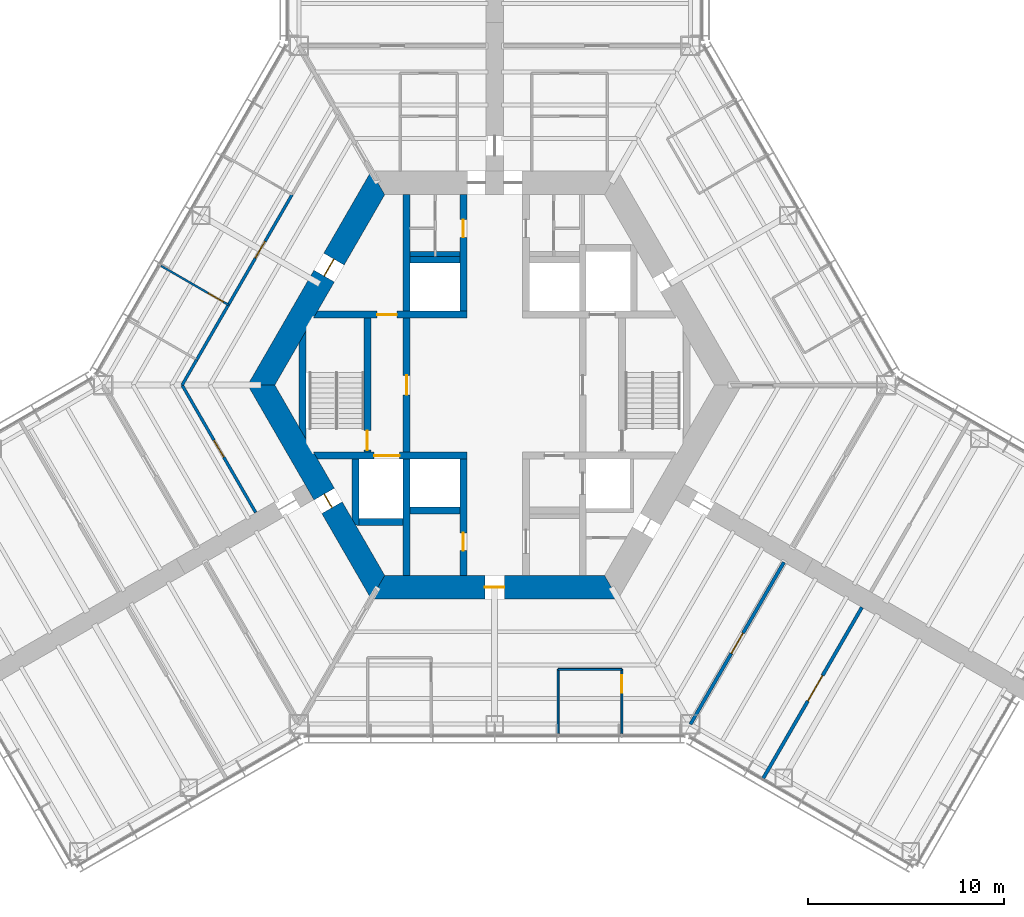
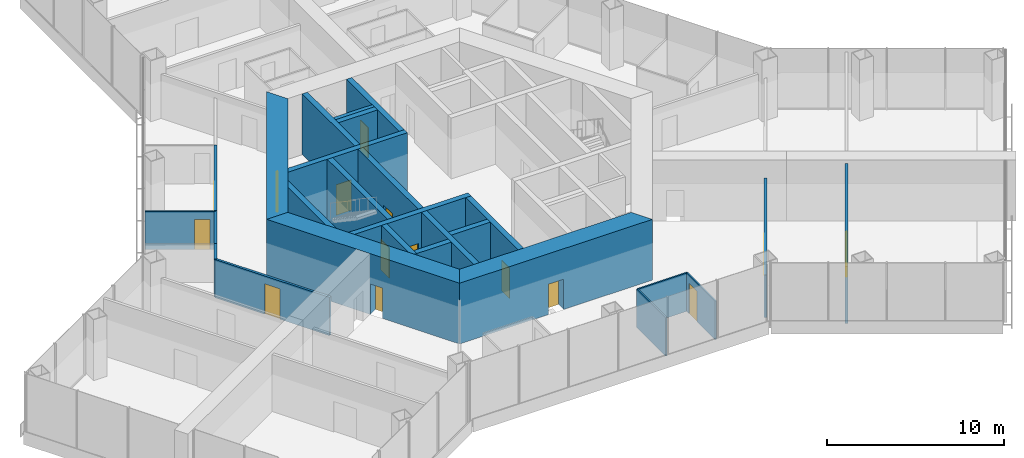
# One storey, part 11 of 17: 27 walls, 15 doors, 15 openings.
"""IFC4 building model written with IfcOpenShell, lengths in metres."""

from ifc_helpers import new_model, si_unit, direction, frame, frame_2d, origin, place, context, subcontext, project, spatial, polyline, rectangle, outline, extrude, material, layer, layer_set, type_object, element, fill, save


model = new_model("IFC4")

# Units and contexts
model_context = context("Model", 3, precision=1e-05, world=origin(), true_north=direction((0.0, 1.0)))
body_context = subcontext(model_context, "Body", "Model", "MODEL_VIEW")
ifc_project = project(units=[si_unit("LENGTHUNIT", "METRE"), si_unit("AREAUNIT", "SQUARE_METRE"), si_unit("VOLUMEUNIT", "CUBIC_METRE"), si_unit("PLANEANGLEUNIT", "RADIAN"), si_unit("MASSUNIT", "GRAM", prefix="KILO")], contexts=[model_context])

# Site, building, storey
site_placement = place(None, origin())
site = spatial("IfcSite", under=ifc_project, at=site_placement, CompositionType="ELEMENT")
building_placement = place(site_placement, origin())
building = spatial("IfcBuilding", under=site, at=building_placement, Name="Kasaneha Research Tower", CompositionType="ELEMENT")
storey_placement = place(building_placement, frame((0.0, 0.0, 47.800048828125)))
storey = spatial("IfcBuildingStorey", under=building, at=storey_placement, Name="L12", CompositionType="ELEMENT", Elevation=47.800048828125)

# Wall, opening, door
ifc_material_1 = material(Name="Concrete Fc100", Category="concrete")
ifc_layer_1 = layer(ifc_material_1, 0.35009765625)
ifc_layer_set_1 = layer_set([ifc_layer_1], Name="Core internal wall 350 Fc100")
wall_type_1 = type_object("IfcWallType", Name="Core internal wall 350 Fc100", PredefinedType="SHEAR", material=ifc_layer_set_1)
wall_1_placement = place(storey_placement, frame((-9.151123046875, 3.60009765625, 0.0), z_axis=(0.0, 0.0, 1.0), x_axis=(1.0, 0.0, 0.0)))
wall_1 = element("IfcWall", 1, at=wall_1_placement, inside=storey, type_object=wall_type_1, Name="Core wall W1W L12", PredefinedType="SHEAR", context=body_context, shape_type="SweptSolid", body=[
    extrude(outline(polyline([(-0.10107421875, -0.175048828125), (3.151123046875, -0.175048828125), (4.151123046875, -0.175048828125), (7.72607421875, -0.175048828125), (7.72607421875, 0.175048828125), (4.151123046875, 0.175048828125), (3.151123046875, 0.175048828125), (0.10107421875, 0.175048828125), (-0.10107421875, -0.175048828125)])), origin(), (0.0, 0.0, 1.0), 4.199951171875),
])
opening_1_placement = place(wall_1_placement, frame((3.151123046875, 0.0, 0.0)))
opening_1 = element("IfcOpeningElement", 2, at=opening_1_placement, cuts=wall_1, Name="Opening L12-D12", PredefinedType="OPENING", context=body_context, shape_type="SweptSolid", body=[
    extrude(rectangle(XDim=1.0, YDim=2.10009765625, at=frame_2d((0.5, 1.050048828125))), frame((0.0, 0.18505859375, 0.0), z_axis=(0.0, -1.0, 0.0), x_axis=(1.0, 0.0, 0.0)), (0.0, 0.0, 1.0), 0.3701171875),
])
ifc_material_2 = material(Name="Steel", Category="steel")
door_type_1 = type_object("IfcDoorType", Name="Specified fire door FD60 1000x2100", OperationType="NOTDEFINED", PredefinedType="DOOR", material=ifc_material_2)
door_1_placement = place(opening_1_placement, origin())
door_1 = element("IfcDoor", 3, at=door_1_placement, inside=storey, type_object=door_type_1, Name="Vestibule to lobby door L12-D12", OperationType="SINGLE_SWING_LEFT", OverallHeight=2.10009765625, OverallWidth=1.0, PredefinedType="DOOR", context=body_context, shape_type="SweptSolid", body=[
    extrude(rectangle(XDim=1.0, YDim=2.10009765625, at=frame_2d((0.5, 1.050048828125))), frame((0.0, 0.02490234375, 0.0), z_axis=(0.0, -1.0, 0.0), x_axis=(1.0, 0.0, 0.0)), (0.0, 0.0, 1.0), 0.050048828125),
])
fill(opening_1, door_1)

wall_2_placement = place(storey_placement, frame((-9.151123046875, -3.60009765625, 0.0), z_axis=(0.0, 0.0, 1.0), x_axis=(1.0, 0.0, 0.0)))
wall_2 = element("IfcWall", 4, at=wall_2_placement, inside=storey, type_object=wall_type_1, Name="Core wall W2W L12", PredefinedType="SHEAR", context=body_context, shape_type="SweptSolid", body=[
    extrude(outline(polyline([(0.10107421875, -0.175048828125), (3.0009765625, -0.175048828125), (4.301025390625, -0.175048828125), (7.72607421875, -0.175048828125), (7.72607421875, 0.175048828125), (4.301025390625, 0.175048828125), (3.0009765625, 0.175048828125), (-0.10107421875, 0.175048828125), (0.10107421875, -0.175048828125)])), origin(), (0.0, 0.0, 1.0), 4.199951171875),
])
opening_2_placement = place(wall_2_placement, frame((3.0009765625, 0.0, 0.0)))
opening_2 = element("IfcOpeningElement", 5, at=opening_2_placement, cuts=wall_2, Name="Opening LD-FL2-L12", PredefinedType="OPENING", context=body_context, shape_type="SweptSolid", body=[
    extrude(rectangle(XDim=1.300048828125, YDim=2.10009765625, at=frame_2d((0.64990234375, 1.050048828125))), frame((0.0, 0.18505859375, 0.0), z_axis=(0.0, -1.0, 0.0), x_axis=(1.0, 0.0, 0.0)), (0.0, 0.0, 1.0), 0.3701171875),
])
ifc_material_3 = material(Name="Steel", Category="steel")
door_type_2 = type_object("IfcDoorType", Name="Lift landing door 1300x2100", OperationType="DOUBLE_DOOR_SLIDING", PredefinedType="DOOR", material=ifc_material_3)
door_2_placement = place(opening_2_placement, origin())
door_2 = element("IfcDoor", 6, at=door_2_placement, inside=storey, type_object=door_type_2, Name="Landing door FL2 LD-FL2-L12", OperationType="DOUBLE_DOOR_SLIDING", OverallHeight=2.10009765625, OverallWidth=1.300048828125, PredefinedType="DOOR", context=body_context, shape_type="SweptSolid", body=[
    extrude(rectangle(XDim=1.300048828125, YDim=2.10009765625, at=frame_2d((0.64990234375, 1.050048828125))), frame((0.0, 0.02490234375, 0.0), z_axis=(0.0, -1.0, 0.0), x_axis=(1.0, 0.0, 0.0)), (0.0, 0.0, 1.0), 0.050048828125),
])
fill(opening_2, door_2)

wall_3_placement = place(storey_placement, frame((-1.60009765625, 3.77490234375, 0.0), z_axis=(0.0, 0.0, 1.0), x_axis=(0.0, 1.0, 0.0)))
wall_3 = element("IfcWall", 7, at=wall_3_placement, inside=storey, type_object=wall_type_1, Name="Core wall CNW L12", PredefinedType="SHEAR", context=body_context, shape_type="SweptSolid", body=[
    extrude(rectangle(XDim=5.9501953125, YDim=0.35009765625, at=frame_2d((2.97509765625, 0.0))), origin(), (0.0, 0.0, 1.0), 4.199951171875),
])
opening_3_placement = place(wall_3_placement, frame((3.77490234375, 0.0, 0.0)))
opening_3 = element("IfcOpeningElement", 8, at=opening_3_placement, cuts=wall_3, Name="Opening L12-D13", PredefinedType="OPENING", context=body_context, shape_type="SweptSolid", body=[
    extrude(rectangle(XDim=0.89990234375, YDim=2.10009765625, at=frame_2d((0.449951171875, 1.050048828125))), frame((0.0, 0.18505859375, 0.0), z_axis=(0.0, -1.0, 0.0), x_axis=(1.0, 0.0, 0.0)), (0.0, 0.0, 1.0), 0.3701171875),
])
ifc_material_4 = material(Name="Steel", Category="steel")
door_type_3 = type_object("IfcDoorType", Name="Toilet door FD20 900x2100", OperationType="NOTDEFINED", PredefinedType="DOOR", material=ifc_material_4)
door_3_placement = place(opening_3_placement, origin())
door_3 = element("IfcDoor", 9, at=door_3_placement, inside=storey, type_object=door_type_3, Name="Men's WC door L12-D13", OperationType="SINGLE_SWING_LEFT", OverallHeight=2.10009765625, OverallWidth=0.89990234375, PredefinedType="DOOR", context=body_context, shape_type="SweptSolid", body=[
    extrude(rectangle(XDim=0.89990234375, YDim=2.10009765625, at=frame_2d((0.449951171875, 1.050048828125))), frame((0.0, 0.02490234375, 0.0), z_axis=(0.0, -1.0, 0.0), x_axis=(1.0, 0.0, 0.0)), (0.0, 0.0, 1.0), 0.050048828125),
])
fill(opening_3, door_3)

wall_4_placement = place(storey_placement, frame((-1.60009765625, -3.77490234375, 0.0), z_axis=(0.0, 0.0, 1.0), x_axis=(0.0, -1.0, 0.0)))
wall_4 = element("IfcWall", 10, at=wall_4_placement, inside=storey, type_object=wall_type_1, Name="Core wall CSW L12", PredefinedType="SHEAR", context=body_context, shape_type="SweptSolid", body=[
    extrude(rectangle(XDim=5.9501953125, YDim=0.35009765625, at=frame_2d((2.97509765625, 0.0))), origin(), (0.0, 0.0, 1.0), 4.199951171875),
])
opening_4_placement = place(wall_4_placement, frame((3.77490234375, 0.0, 0.0)))
opening_4 = element("IfcOpeningElement", 11, at=opening_4_placement, cuts=wall_4, Name="Opening L12-D16", PredefinedType="OPENING", context=body_context, shape_type="SweptSolid", body=[
    extrude(rectangle(XDim=0.89990234375, YDim=2.10009765625, at=frame_2d((0.449951171875, 1.050048828125))), frame((0.0, 0.18505859375, 0.0), z_axis=(0.0, -1.0, 0.0), x_axis=(1.0, 0.0, 0.0)), (0.0, 0.0, 1.0), 0.3701171875),
])
ifc_material_5 = material(Name="Steel", Category="steel")
door_type_4 = type_object("IfcDoorType", Name="Riser access door FD60 900x2100", OperationType="NOTDEFINED", PredefinedType="DOOR", material=ifc_material_5)
door_4_placement = place(opening_4_placement, origin())
door_4 = element("IfcDoor", 12, at=door_4_placement, inside=storey, type_object=door_type_4, Name="Electrical riser door L12-D16", OperationType="SINGLE_SWING_LEFT", OverallHeight=2.10009765625, OverallWidth=0.89990234375, PredefinedType="DOOR", context=body_context, shape_type="SweptSolid", body=[
    extrude(rectangle(XDim=0.89990234375, YDim=2.10009765625, at=frame_2d((0.449951171875, 1.050048828125))), frame((0.0, 0.02490234375, 0.0), z_axis=(0.0, -1.0, 0.0), x_axis=(1.0, 0.0, 0.0)), (0.0, 0.0, 1.0), 0.050048828125),
])
fill(opening_4, door_4)

wall_5_placement = place(storey_placement, frame((-4.5, -3.425048828125, 0.0), z_axis=(0.0, 0.0, 1.0), x_axis=(0.0, 1.0, 0.0)))
wall_5 = element("IfcWall", 13, at=wall_5_placement, inside=storey, type_object=wall_type_1, Name="Core wall LBW L12", PredefinedType="SHEAR", context=body_context, shape_type="SweptSolid", body=[
    extrude(rectangle(XDim=6.85009765625, YDim=0.35009765625, at=frame_2d((3.425048828125, 0.0))), origin(), (0.0, 0.0, 1.0), 4.199951171875),
])
opening_5_placement = place(wall_5_placement, frame((2.925048828125, 0.0, 0.0)))
opening_5 = element("IfcOpeningElement", 14, at=opening_5_placement, cuts=wall_5, Name="Opening L12-D09", PredefinedType="OPENING", context=body_context, shape_type="SweptSolid", body=[
    extrude(rectangle(XDim=1.0, YDim=2.10009765625, at=frame_2d((0.5, 1.050048828125))), frame((0.0, 0.18505859375, 0.0), z_axis=(0.0, -1.0, 0.0), x_axis=(1.0, 0.0, 0.0)), (0.0, 0.0, 1.0), 0.3701171875),
])
door_5_placement = place(opening_5_placement, origin())
door_5 = element("IfcDoor", 15, at=door_5_placement, inside=storey, type_object=door_type_1, Name="Lift lobby door west L12-D09", OperationType="SINGLE_SWING_LEFT", OverallHeight=2.10009765625, OverallWidth=1.0, PredefinedType="DOOR", context=body_context, shape_type="SweptSolid", body=[
    extrude(rectangle(XDim=1.0, YDim=2.10009765625, at=frame_2d((0.5, 1.050048828125))), frame((0.0, 0.02490234375, 0.0), z_axis=(0.0, -1.0, 0.0), x_axis=(1.0, 0.0, 0.0)), (0.0, 0.0, 1.0), 0.050048828125),
])
fill(opening_5, door_5)

wall_6_placement = place(storey_placement, frame((-6.5, -3.425048828125, 0.0), z_axis=(0.0, 0.0, 1.0), x_axis=(0.0, 1.0, 0.0)))
wall_6 = element("IfcWall", 16, at=wall_6_placement, inside=storey, type_object=wall_type_1, Name="Core wall ANW L12", PredefinedType="SHEAR", context=body_context, shape_type="SweptSolid", body=[
    extrude(rectangle(XDim=6.85009765625, YDim=0.35009765625, at=frame_2d((3.425048828125, 0.0))), origin(), (0.0, 0.0, 1.0), 4.199951171875),
])
opening_6_placement = place(wall_6_placement, frame((0.10009765625, 0.0, 0.0)))
opening_6 = element("IfcOpeningElement", 17, at=opening_6_placement, cuts=wall_6, Name="Opening L12-D11", PredefinedType="OPENING", context=body_context, shape_type="SweptSolid", body=[
    extrude(rectangle(XDim=1.0, YDim=2.10009765625, at=frame_2d((0.5, 1.050048828125))), frame((0.0, 0.18505859375, 0.0), z_axis=(0.0, -1.0, 0.0), x_axis=(1.0, 0.0, 0.0)), (0.0, 0.0, 1.0), 0.3701171875),
])
door_6_placement = place(opening_6_placement, origin())
door_6 = element("IfcDoor", 18, at=door_6_placement, inside=storey, type_object=door_type_1, Name="Stair 2 door L12-D11", OperationType="SINGLE_SWING_LEFT", OverallHeight=2.10009765625, OverallWidth=1.0, PredefinedType="DOOR", context=body_context, shape_type="SweptSolid", body=[
    extrude(rectangle(XDim=1.0, YDim=2.10009765625, at=frame_2d((0.5, 1.050048828125))), frame((0.0, 0.02490234375, 0.0), z_axis=(0.0, -1.0, 0.0), x_axis=(1.0, 0.0, 0.0)), (0.0, 0.0, 1.0), 0.050048828125),
])
fill(opening_6, door_6)

# Walls
for number, where, z_axis, x_axis, name in (
    (19, (-4.5, 3.77490234375, 0.0), (0.0, 0.0, 1.0), (0.0, 1.0, 0.0), "Core wall VNW L12"),
    (20, (-4.5, -3.77490234375, 0.0), (0.0, 0.0, 1.0), (0.0, -1.0, 0.0), "Core wall SSW L12"),
):
    element("IfcWall", number, at=place(storey_placement, frame(where, z_axis=z_axis, x_axis=x_axis)), inside=storey, type_object=wall_type_1, Name=name, PredefinedType="SHEAR", context=body_context, shape_type="SweptSolid", body=[
        extrude(rectangle(XDim=5.9501953125, YDim=0.35009765625, at=frame_2d((2.97509765625, 0.0))), origin(), (0.0, 0.0, 1.0), 4.199951171875),
    ])
for number, where, z_axis, x_axis, name in (
    (21, (-4.324951171875, 6.39990234375, 0.0), (0.0, 0.0, 1.0), (1.0, 0.0, 0.0), "Core wall N1N L12"),
    (22, (-4.324951171875, -6.39990234375, 0.0), (0.0, 0.0, 1.0), (1.0, 0.0, 0.0), "Core wall S1S L12"),
):
    element("IfcWall", number, at=place(storey_placement, frame(where, z_axis=z_axis, x_axis=x_axis)), inside=storey, type_object=wall_type_1, Name=name, PredefinedType="SHEAR", context=body_context, shape_type="SweptSolid", body=[
        extrude(rectangle(XDim=2.550048828125, YDim=0.35009765625, at=frame_2d((1.27490234375, 0.0))), origin(), (0.0, 0.0, 1.0), 4.199951171875),
    ])
wall_7_placement = place(storey_placement, frame((-6.925048828125, -7.0, 0.0), z_axis=(0.0, 0.0, 1.0), x_axis=(1.0, 0.0, 0.0)))
element("IfcWall", 23, at=wall_7_placement, inside=storey, type_object=wall_type_1, Name="Core wall F2S L12", PredefinedType="SHEAR", context=body_context, shape_type="SweptSolid", body=[
    extrude(rectangle(XDim=2.25, YDim=0.35009765625, at=frame_2d((1.125, 0.0))), origin(), (0.0, 0.0, 1.0), 4.199951171875),
])
wall_8_placement = place(storey_placement, frame((-7.10009765625, -3.77490234375, 0.0), z_axis=(0.0, 0.0, 1.0), x_axis=(0.0, -1.0, 0.0)))
element("IfcWall", 24, at=wall_8_placement, inside=storey, type_object=wall_type_1, Name="Core wall F2W L12", PredefinedType="SHEAR", context=body_context, shape_type="SweptSolid", body=[
    extrude(outline(polyline([(0.0, -0.175048828125), (3.07421875, -0.175048828125), (3.37744140625, 0.0), (3.39990234375, 0.175048828125), (0.0, 0.175048828125), (0.0, -0.175048828125)])), origin(), (0.0, 0.0, 1.0), 4.199951171875),
])
wall_9_placement = place(storey_placement, frame((-9.807861328125, -2.462158203125, 0.0), z_axis=(0.0, 0.0, 1.0), x_axis=(0.0, 1.0, 0.0)))
element("IfcWall", 25, at=wall_9_placement, inside=storey, type_object=wall_type_1, Name="Core wall STW L12", PredefinedType="SHEAR", context=body_context, shape_type="SweptSolid", body=[
    extrude(outline(polyline([(-0.30322265625, -0.175048828125), (5.2275390625, -0.175048828125), (4.62109375, 0.175048828125), (0.30322265625, 0.175048828125), (-0.30322265625, -0.175048828125)])), origin(), (0.0, 0.0, 1.0), 4.199951171875),
])

# Wall, opening, door
ifc_material_6 = material(Name="Concrete Fc100", Category="concrete")
ifc_layer_2 = layer(ifc_material_6, 1.199951171875)
ifc_layer_set_2 = layer_set([ifc_layer_2], Name="Core wall 1200 Fc100")
wall_type_2 = type_object("IfcWallType", Name="Core wall 1200 Fc100", PredefinedType="SHEAR", material=ifc_layer_set_2)
wall_10_placement = place(storey_placement, frame((-5.961181640625, 10.324951171875, 0.0), z_axis=(0.0, 0.0, 1.0), x_axis=(-0.500004296715, -0.866022923061, 0.0)))
wall_10 = element("IfcWall", 26, at=wall_10_placement, inside=storey, type_object=wall_type_2, Name="Core wall 150 L12", PredefinedType="SHEAR", context=body_context, shape_type="SweptSolid", body=[
    extrude(outline(polyline([(-0.346435546875, -0.60009765625), (4.494140625, -0.60009765625), (5.494140625, -0.60009765625), (12.268798828125, -0.60009765625), (11.575927734375, 0.60009765625), (5.494140625, 0.60009765625), (4.494140625, 0.60009765625), (0.346435546875, 0.60009765625), (-0.346435546875, -0.60009765625)])), origin(), (0.0, 0.0, 1.0), 4.199951171875),
])
opening_7_placement = place(wall_10_placement, frame((4.494140625, 0.0, 0.0)))
opening_7 = element("IfcOpeningElement", 27, at=opening_7_placement, cuts=wall_10, Name="Opening L12-D07", PredefinedType="OPENING", context=body_context, shape_type="SweptSolid", body=[
    extrude(rectangle(XDim=1.0, YDim=2.10009765625, at=frame_2d((0.5, 1.050048828125))), frame((0.0, 0.60986328125, 0.0), z_axis=(0.0, -1.0, 0.0), x_axis=(1.0, 0.0, 0.0)), (0.0, 0.0, 1.0), 1.219970703125),
])
ifc_material_7 = material(Name="Steel", Category="steel")
door_type_5 = type_object("IfcDoorType", Name="Fire door FD20 1000x2100", OperationType="NOTDEFINED", PredefinedType="DOOR", material=ifc_material_7)
door_7_placement = place(opening_7_placement, origin())
door_7 = element("IfcDoor", 28, at=door_7_placement, inside=storey, type_object=door_type_5, Name="Vestibule door L12-D07", OperationType="SINGLE_SWING_LEFT", OverallHeight=2.10009765625, OverallWidth=1.0, PredefinedType="DOOR", context=body_context, shape_type="SweptSolid", body=[
    extrude(rectangle(XDim=1.0, YDim=2.10009765625, at=frame_2d((0.5, 1.050048828125))), frame((0.0, 0.02490234375, 0.0), z_axis=(0.0, -1.0, 0.0), x_axis=(1.0, 0.0, 0.0)), (0.0, 0.0, 1.0), 0.050048828125),
])
fill(opening_7, door_7)

wall_11_placement = place(storey_placement, frame((-11.92236328125, 0.0, 0.0), z_axis=(0.0, 0.0, 1.0), x_axis=(0.500004296715, -0.866022923061, 0.0)))
wall_11 = element("IfcWall", 29, at=wall_11_placement, inside=storey, type_object=wall_type_2, Name="Core wall 210 L12", PredefinedType="SHEAR", context=body_context, shape_type="SweptSolid", body=[
    extrude(outline(polyline([(-0.346435546875, -0.60009765625), (6.43115234375, -0.60009765625), (7.231201171875, -0.60009765625), (12.268798828125, -0.60009765625), (11.575927734375, 0.60009765625), (7.231201171875, 0.60009765625), (6.43115234375, 0.60009765625), (0.346435546875, 0.60009765625), (-0.346435546875, -0.60009765625)])), origin(), (0.0, 0.0, 1.0), 4.199951171875),
])
opening_8_placement = place(wall_11_placement, frame((6.43115234375, 0.0, 0.0)))
opening_8 = element("IfcOpeningElement", 30, at=opening_8_placement, cuts=wall_11, Name="Opening L12-D06", PredefinedType="OPENING", context=body_context, shape_type="SweptSolid", body=[
    extrude(rectangle(XDim=0.800048828125, YDim=2.10009765625, at=frame_2d((0.39990234375, 1.050048828125))), frame((0.0, 0.60986328125, 0.0), z_axis=(0.0, -1.0, 0.0), x_axis=(1.0, 0.0, 0.0)), (0.0, 0.0, 1.0), 1.219970703125),
])
ifc_material_8 = material(Name="Steel", Category="steel")
door_type_6 = type_object("IfcDoorType", Name="Riser access door FD60 800x2100", OperationType="NOTDEFINED", PredefinedType="DOOR", material=ifc_material_8)
door_8_placement = place(opening_8_placement, origin())
door_8 = element("IfcDoor", 31, at=door_8_placement, inside=storey, type_object=door_type_6, Name="Duct riser door L12-D06", OperationType="SINGLE_SWING_RIGHT", OverallHeight=2.10009765625, OverallWidth=0.800048828125, PredefinedType="DOOR", context=body_context, shape_type="SweptSolid", body=[
    extrude(rectangle(XDim=0.800048828125, YDim=2.10009765625, at=frame_2d((0.39990234375, 1.050048828125))), frame((0.0, 0.02490234375, 0.0), z_axis=(0.0, -1.0, 0.0), x_axis=(1.0, 0.0, 0.0)), (0.0, 0.0, 1.0), 0.050048828125),
])
fill(opening_8, door_8)

wall_12_placement = place(storey_placement, frame((-5.961181640625, -10.324951171875, 0.0), z_axis=(0.0, 0.0, 1.0), x_axis=(1.0, 0.0, 0.0)))
wall_12 = element("IfcWall", 32, at=wall_12_placement, inside=storey, type_object=wall_type_2, Name="Core wall 270 L12", PredefinedType="SHEAR", context=body_context, shape_type="SweptSolid", body=[
    extrude(outline(polyline([(-0.346435546875, -0.60009765625), (5.461181640625, -0.60009765625), (6.461181640625, -0.60009765625), (12.268798828125, -0.60009765625), (11.575927734375, 0.60009765625), (6.461181640625, 0.60009765625), (5.461181640625, 0.60009765625), (0.346435546875, 0.60009765625), (-0.346435546875, -0.60009765625)])), origin(), (0.0, 0.0, 1.0), 4.199951171875),
])
opening_9_placement = place(wall_12_placement, frame((5.461181640625, 0.0, 0.0)))
opening_9 = element("IfcOpeningElement", 33, at=opening_9_placement, cuts=wall_12, Name="Opening L12-D03", PredefinedType="OPENING", context=body_context, shape_type="SweptSolid", body=[
    extrude(rectangle(XDim=1.0, YDim=2.10009765625, at=frame_2d((0.5, 1.050048828125))), frame((0.0, 0.60986328125, 0.0), z_axis=(0.0, -1.0, 0.0), x_axis=(1.0, 0.0, 0.0)), (0.0, 0.0, 1.0), 1.219970703125),
])
door_9_placement = place(opening_9_placement, origin())
door_9 = element("IfcDoor", 34, at=door_9_placement, inside=storey, type_object=door_type_5, Name="Core door south L12-D03", OperationType="SINGLE_SWING_LEFT", OverallHeight=2.10009765625, OverallWidth=1.0, PredefinedType="DOOR", context=body_context, shape_type="SweptSolid", body=[
    extrude(rectangle(XDim=1.0, YDim=2.10009765625, at=frame_2d((0.5, 1.050048828125))), frame((0.0, 0.02490234375, 0.0), z_axis=(0.0, -1.0, 0.0), x_axis=(1.0, 0.0, 0.0)), (0.0, 0.0, 1.0), 0.050048828125),
])
fill(opening_9, door_9)

ifc_material_9 = material(Name="Gypsum board on steel studs, two layers each side", Category="steel")
ifc_layer_3 = layer(ifc_material_9, 0.175048828125)
ifc_layer_set_3 = layer_set([ifc_layer_3], Name="Laboratory fire partition 175")
wall_type_3 = type_object("IfcWallType", Name="Laboratory fire partition 175", PredefinedType="PARTITIONING", material=ifc_layer_set_3)
wall_13_placement = place(storey_placement, frame((14.77490234375, -9.050048828125, 0.0), z_axis=(0.0, 0.0, 1.0), x_axis=(-0.499993908199, -0.866028920859, 0.0)))
wall_13 = element("IfcWall", 35, at=wall_13_placement, inside=storey, type_object=wall_type_3, Name="Laboratory fire partition LABC-S L12", PredefinedType="PARTITIONING", context=body_context, shape_type="SweptSolid", body=[
    extrude(rectangle(XDim=9.5498046875, YDim=0.175048828125, at=frame_2d((4.77490234375, 0.0))), origin(), (0.0, 0.0, 1.0), 2.949951171875),
])
opening_10_placement = place(wall_13_placement, frame((4.175048828125, 0.0, 0.0)))
opening_10 = element("IfcOpeningElement", 36, at=opening_10_placement, cuts=wall_13, Name="Opening L12-D48", PredefinedType="OPENING", context=body_context, shape_type="SweptSolid", body=[
    extrude(rectangle(XDim=1.199951171875, YDim=2.10009765625, at=frame_2d((0.60009765625, 1.050048828125))), frame((0.0, 0.09765625, 0.0), z_axis=(0.0, -1.0, 0.0), x_axis=(1.0, 0.0, 0.0)), (0.0, 0.0, 1.0), 0.195068359375),
])
ifc_material_10 = material(Name="Steel", Category="steel")
door_type_7 = type_object("IfcDoorType", Name="Laboratory door FD60 1200x2100", OperationType="DOUBLE_DOOR_SINGLE_SWING", PredefinedType="DOOR", material=ifc_material_10)
door_10_placement = place(opening_10_placement, origin())
door_10 = element("IfcDoor", 37, at=door_10_placement, inside=storey, type_object=door_type_7, Name="Laboratory door L12-D48", OperationType="DOUBLE_DOOR_SINGLE_SWING", OverallHeight=2.10009765625, OverallWidth=1.199951171875, PredefinedType="DOOR", context=body_context, shape_type="SweptSolid", body=[
    extrude(rectangle(XDim=1.199951171875, YDim=2.10009765625, at=frame_2d((0.60009765625, 1.050048828125))), frame((0.0, 0.02490234375, 0.0), z_axis=(0.0, -1.0, 0.0), x_axis=(1.0, 0.0, 0.0)), (0.0, 0.0, 1.0), 0.050048828125),
])
fill(opening_10, door_10)

wall_14_placement = place(storey_placement, frame((18.7587890625, -11.349853515625, 0.0), z_axis=(0.0, 0.0, 1.0), x_axis=(-0.500005203629, -0.866022399447, 0.0)))
wall_14 = element("IfcWall", 38, at=wall_14_placement, inside=storey, type_object=wall_type_3, Name="Laboratory fire partition INSC-S L12", PredefinedType="PARTITIONING", context=body_context, shape_type="SweptSolid", body=[
    extrude(rectangle(XDim=10.14013671875, YDim=0.175048828125, at=frame_2d((5.070068359375, 0.0))), origin(), (0.0, 0.0, 1.0), 3.949951171875),
])
opening_11_placement = place(wall_14_placement, frame((4.02490234375, 0.0, 0.0)))
opening_11 = element("IfcOpeningElement", 39, at=opening_11_placement, cuts=wall_14, Name="Opening L12-D51", PredefinedType="OPENING", context=body_context, shape_type="SweptSolid", body=[
    extrude(rectangle(XDim=1.5, YDim=2.10009765625, at=frame_2d((0.75, 1.050048828125))), frame((0.0, 0.09765625, 0.0), z_axis=(0.0, -1.0, 0.0), x_axis=(1.0, 0.0, 0.0)), (0.0, 0.0, 1.0), 0.195068359375),
])
ifc_material_11 = material(Name="Steel", Category="steel")
door_type_8 = type_object("IfcDoorType", Name="Laboratory door FD60 1500x2100", OperationType="DOUBLE_DOOR_SINGLE_SWING", PredefinedType="DOOR", material=ifc_material_11)
door_11_placement = place(opening_11_placement, origin())
door_11 = element("IfcDoor", 40, at=door_11_placement, inside=storey, type_object=door_type_8, Name="Instrument room door L12-D51", OperationType="DOUBLE_DOOR_SINGLE_SWING", OverallHeight=2.10009765625, OverallWidth=1.5, PredefinedType="DOOR", context=body_context, shape_type="SweptSolid", body=[
    extrude(rectangle(XDim=1.5, YDim=2.10009765625, at=frame_2d((0.75, 1.050048828125))), frame((0.0, 0.02490234375, 0.0), z_axis=(0.0, -1.0, 0.0), x_axis=(1.0, 0.0, 0.0)), (0.0, 0.0, 1.0), 0.050048828125),
])
fill(opening_11, door_11)

ifc_material_12 = material(Name="Gypsum board on steel studs, one layer each side", Category="steel")
ifc_layer_4 = layer(ifc_material_12, 0.10009765625)
ifc_layer_set_4 = layer_set([ifc_layer_4], Name="Office partition 100")
wall_type_4 = type_object("IfcWallType", Name="Office partition 100", PredefinedType="PARTITIONING", material=ifc_layer_set_4)
wall_15_placement = place(storey_placement, frame((-17.038818359375, 6.0888671875, 0.0), z_axis=(0.0, 0.0, 1.0), x_axis=(0.865455715078, -0.500985434159, 0.0)))
wall_15 = element("IfcWall", 41, at=wall_15_placement, inside=storey, type_object=wall_type_4, Name="Office partition FBN08 L12", PredefinedType="PARTITIONING", context=body_context, shape_type="SweptSolid", body=[
    extrude(rectangle(XDim=3.9755859375, YDim=0.10009765625, at=frame_2d((1.98779296875, 0.0))), origin(), (0.0, 0.0, 1.0), 2.64990234375),
])
opening_12_placement = place(wall_15_placement, frame((2.775634765625, 0.0, 0.0)))
opening_12 = element("IfcOpeningElement", 42, at=opening_12_placement, cuts=wall_15, Name="Opening L12-D42", PredefinedType="OPENING", context=body_context, shape_type="SweptSolid", body=[
    extrude(rectangle(XDim=0.89990234375, YDim=2.10009765625, at=frame_2d((0.449951171875, 1.050048828125))), frame((0.0, 0.06005859375, 0.0), z_axis=(0.0, -1.0, 0.0), x_axis=(1.0, 0.0, 0.0)), (0.0, 0.0, 1.0), 0.1201171875),
])
ifc_material_13 = material(Name="Timber veneer", Category="wood")
door_type_9 = type_object("IfcDoorType", Name="Office door 900x2100", OperationType="SINGLE_SWING_LEFT", PredefinedType="DOOR", material=ifc_material_13)
door_12_placement = place(opening_12_placement, origin())
door_12 = element("IfcDoor", 43, at=door_12_placement, inside=storey, type_object=door_type_9, Name="Principal investigator office door L12-D42", OperationType="SINGLE_SWING_RIGHT", OverallHeight=2.10009765625, OverallWidth=0.89990234375, PredefinedType="DOOR", context=body_context, shape_type="SweptSolid", body=[
    extrude(rectangle(XDim=0.89990234375, YDim=2.10009765625, at=frame_2d((0.449951171875, 1.050048828125))), frame((0.0, 0.02490234375, 0.0), z_axis=(0.0, -1.0, 0.0), x_axis=(1.0, 0.0, 0.0)), (0.0, 0.0, 1.0), 0.050048828125),
])
fill(opening_12, door_12)

# Walls
wall_16_placement = place(storey_placement, frame((3.246337890625, -17.800537109375, 0.0), z_axis=(0.0, 0.0, 1.0), x_axis=(0.0, 1.0, 0.0)))
element("IfcWall", 44, at=wall_16_placement, inside=storey, type_object=wall_type_4, Name="Office partition FCS04 L12", PredefinedType="PARTITIONING", context=body_context, shape_type="SweptSolid", body=[
    extrude(rectangle(XDim=3.280029296875, YDim=0.10009765625, at=frame_2d((1.64013671875, 0.0))), origin(), (0.0, 0.0, 1.0), 2.64990234375),
])
wall_17_placement = place(storey_placement, frame((3.246337890625, -14.5205078125, 0.0), z_axis=(0.0, 0.0, 1.0), x_axis=(1.0, 0.0, 0.0)))
element("IfcWall", 45, at=wall_17_placement, inside=storey, type_object=wall_type_4, Name="Office partition FCS05 L12", PredefinedType="PARTITIONING", context=body_context, shape_type="SweptSolid", body=[
    extrude(rectangle(XDim=3.24658203125, YDim=0.10009765625, at=frame_2d((1.623291015625, 0.0))), origin(), (0.0, 0.0, 1.0), 2.64990234375),
])

# Wall, opening, door
wall_18_placement = place(storey_placement, frame((6.492919921875, -14.5205078125, 0.0), z_axis=(0.0, 0.0, 1.0), x_axis=(0.0, -1.0, 0.0)))
wall_18 = element("IfcWall", 46, at=wall_18_placement, inside=storey, type_object=wall_type_4, Name="Office partition FCS06 L12", PredefinedType="PARTITIONING", context=body_context, shape_type="SweptSolid", body=[
    extrude(rectangle(XDim=3.280029296875, YDim=0.10009765625, at=frame_2d((1.64013671875, 0.0))), origin(), (0.0, 0.0, 1.0), 2.64990234375),
])
opening_13_placement = place(wall_18_placement, frame((0.300048828125, 0.0, 0.0)))
opening_13 = element("IfcOpeningElement", 47, at=opening_13_placement, cuts=wall_18, Name="Opening L12-D50", PredefinedType="OPENING", context=body_context, shape_type="SweptSolid", body=[
    extrude(rectangle(XDim=0.89990234375, YDim=2.10009765625, at=frame_2d((0.449951171875, 1.050048828125))), frame((0.0, 0.06005859375, 0.0), z_axis=(0.0, -1.0, 0.0), x_axis=(1.0, 0.0, 0.0)), (0.0, 0.0, 1.0), 0.1201171875),
])
door_13_placement = place(opening_13_placement, origin())
door_13 = element("IfcDoor", 48, at=door_13_placement, inside=storey, type_object=door_type_9, Name="Principal investigator office door L12-D50", OperationType="SINGLE_SWING_LEFT", OverallHeight=2.10009765625, OverallWidth=0.89990234375, PredefinedType="DOOR", context=body_context, shape_type="SweptSolid", body=[
    extrude(rectangle(XDim=0.89990234375, YDim=2.10009765625, at=frame_2d((0.449951171875, 1.050048828125))), frame((0.0, 0.02490234375, 0.0), z_axis=(0.0, -1.0, 0.0), x_axis=(1.0, 0.0, 0.0)), (0.0, 0.0, 1.0), 0.050048828125),
])
fill(opening_13, door_13)

# Walls
ifc_material_14 = material(Name="Gypsum board on steel studs, two layers each side", Category="steel")
ifc_layer_5 = layer(ifc_material_14, 0.14990234375)
ifc_layer_set_5 = layer_set([ifc_layer_5], Name="Suite partition 150")
wall_type_5 = type_object("IfcWallType", Name="Suite partition 150", PredefinedType="PARTITIONING", material=ifc_layer_set_5)
wall_19_placement = place(storey_placement, frame((-15.2216796875, 1.28515625, 0.0), z_axis=(0.0, 0.0, 1.0), x_axis=(0.499969057507, 0.866043267704, 0.0)))
element("IfcWall", 49, at=wall_19_placement, inside=storey, type_object=wall_type_5, Name="Suite partition FBN02 L12", PredefinedType="PARTITIONING", context=body_context, shape_type="SweptSolid", body=[
    extrude(rectangle(XDim=3.256591796875, YDim=0.14990234375, at=frame_2d((1.62841796875, 0.0))), origin(), (0.0, 0.0, 1.0), 2.64990234375),
])
wall_20_placement = place(storey_placement, frame((-15.963623046875, 0.0, 0.0), z_axis=(0.0, 0.0, 1.0), x_axis=(0.499901701094, 0.866082149246, 0.0)))
element("IfcWall", 50, at=wall_20_placement, inside=storey, type_object=wall_type_5, Name="Suite partition FBN03 L12", PredefinedType="PARTITIONING", context=body_context, shape_type="SweptSolid", body=[
    extrude(rectangle(XDim=1.493408203125, YDim=0.14990234375, at=frame_2d((0.74658203125, 0.0))), origin(), (0.0, 0.0, 1.0), 2.64990234375),
])

# Wall, opening, door
wall_21_placement = place(storey_placement, frame((-12.207763671875, -6.505615234375, 0.0), z_axis=(0.0, 0.0, 1.0), x_axis=(-0.499984092097, 0.866034588021, 0.0)))
wall_21 = element("IfcWall", 51, at=wall_21_placement, inside=storey, type_object=wall_type_5, Name="Suite partition FBN04 L12", PredefinedType="PARTITIONING", context=body_context, shape_type="SweptSolid", body=[
    extrude(rectangle(XDim=7.511962890625, YDim=0.14990234375, at=frame_2d((3.755859375, 0.0))), origin(), (0.0, 0.0, 1.0), 2.64990234375),
])
opening_14_placement = place(wall_21_placement, frame((3.256103515625, 0.0, 0.0)))
opening_14 = element("IfcOpeningElement", 52, at=opening_14_placement, cuts=wall_21, Name="Opening L12-D39", PredefinedType="OPENING", context=body_context, shape_type="SweptSolid", body=[
    extrude(rectangle(XDim=1.0, YDim=2.10009765625, at=frame_2d((0.5, 1.050048828125))), frame((0.0, 0.0849609375, 0.0), z_axis=(0.0, -1.0, 0.0), x_axis=(1.0, 0.0, 0.0)), (0.0, 0.0, 1.0), 0.169921875),
])
ifc_material_15 = material(Name="Steel", Category="steel")
door_type_10 = type_object("IfcDoorType", Name="Suite entrance door FD60 1000x2100", OperationType="NOTDEFINED", PredefinedType="DOOR", material=ifc_material_15)
door_14_placement = place(opening_14_placement, origin())
door_14 = element("IfcDoor", 53, at=door_14_placement, inside=storey, type_object=door_type_10, Name="Suite entrance door L12-D39", OperationType="SINGLE_SWING_RIGHT", OverallHeight=2.10009765625, OverallWidth=1.0, PredefinedType="DOOR", context=body_context, shape_type="SweptSolid", body=[
    extrude(rectangle(XDim=1.0, YDim=2.10009765625, at=frame_2d((0.5, 1.050048828125))), frame((0.0, 0.02490234375, 0.0), z_axis=(0.0, -1.0, 0.0), x_axis=(1.0, 0.0, 0.0)), (0.0, 0.0, 1.0), 0.050048828125),
])
fill(opening_14, door_14)

wall_22_placement = place(storey_placement, frame((-13.59814453125, 4.09716796875, 0.0), z_axis=(0.0, 0.0, 1.0), x_axis=(0.49998791073, 0.866032383415, 0.0)))
wall_22 = element("IfcWall", 54, at=wall_22_placement, inside=storey, type_object=wall_type_5, Name="Suite partition FBN05 L12", PredefinedType="PARTITIONING", context=body_context, shape_type="SweptSolid", body=[
    extrude(rectangle(XDim=6.501708984375, YDim=0.14990234375, at=frame_2d((3.2509765625, 0.0))), origin(), (0.0, 0.0, 1.0), 2.64990234375),
])
opening_15_placement = place(wall_22_placement, frame((2.750732421875, 0.0, 0.0)))
opening_15 = element("IfcOpeningElement", 55, at=opening_15_placement, cuts=wall_22, Name="Opening L12-D40", PredefinedType="OPENING", context=body_context, shape_type="SweptSolid", body=[
    extrude(rectangle(XDim=1.0, YDim=2.10009765625, at=frame_2d((0.5, 1.050048828125))), frame((0.0, 0.0849609375, 0.0), z_axis=(0.0, -1.0, 0.0), x_axis=(1.0, 0.0, 0.0)), (0.0, 0.0, 1.0), 0.169921875),
])
door_15_placement = place(opening_15_placement, origin())
door_15 = element("IfcDoor", 56, at=door_15_placement, inside=storey, type_object=door_type_10, Name="Suite entrance door L12-D40", OperationType="SINGLE_SWING_RIGHT", OverallHeight=2.10009765625, OverallWidth=1.0, PredefinedType="DOOR", context=body_context, shape_type="SweptSolid", body=[
    extrude(rectangle(XDim=1.0, YDim=2.10009765625, at=frame_2d((0.5, 1.050048828125))), frame((0.0, 0.02490234375, 0.0), z_axis=(0.0, -1.0, 0.0), x_axis=(1.0, 0.0, 0.0)), (0.0, 0.0, 1.0), 0.050048828125),
])
fill(opening_15, door_15)

# Wall
ifc_material_16 = material(Name="Concrete block lining", Category="concrete")
ifc_layer_6 = layer(ifc_material_16, 0.25)
ifc_layer_set_6 = layer_set([ifc_layer_6], Name="WC plumbing wall 250")
wall_type_6 = type_object("IfcWallType", Name="WC plumbing wall 250", PredefinedType="PLUMBINGWALL", material=ifc_layer_set_6)
wall_23_placement = place(storey_placement, frame((-4.324951171875, 6.699951171875, 0.0), z_axis=(0.0, 0.0, 1.0), x_axis=(1.0, 0.0, 0.0)))
element("IfcWall", 57, at=wall_23_placement, inside=storey, type_object=wall_type_6, Name="WC plumbing wall M L12", PredefinedType="PLUMBINGWALL", context=body_context, shape_type="SweptSolid", body=[
    extrude(rectangle(XDim=2.550048828125, YDim=0.25, at=frame_2d((1.27490234375, 0.0))), origin(), (0.0, 0.0, 1.0), 4.199951171875),
])

save(model, "model.ifc")
